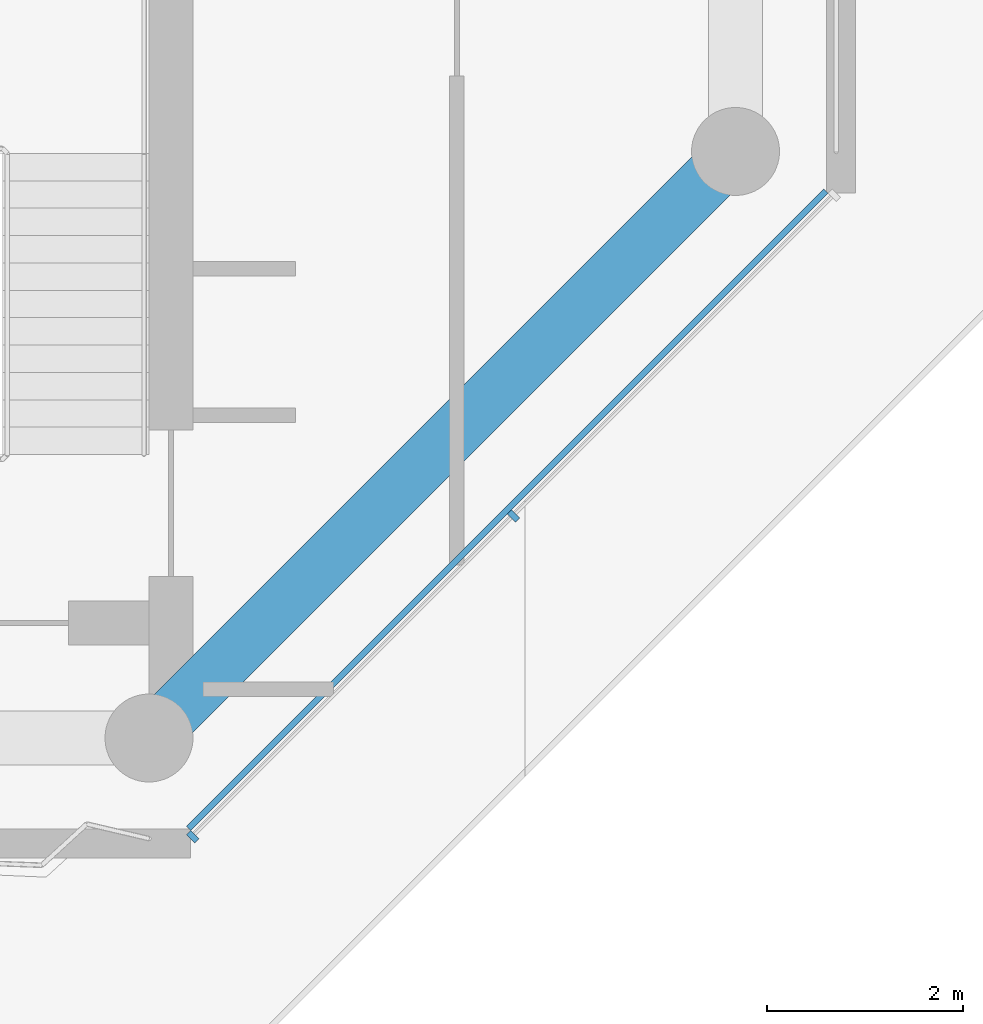
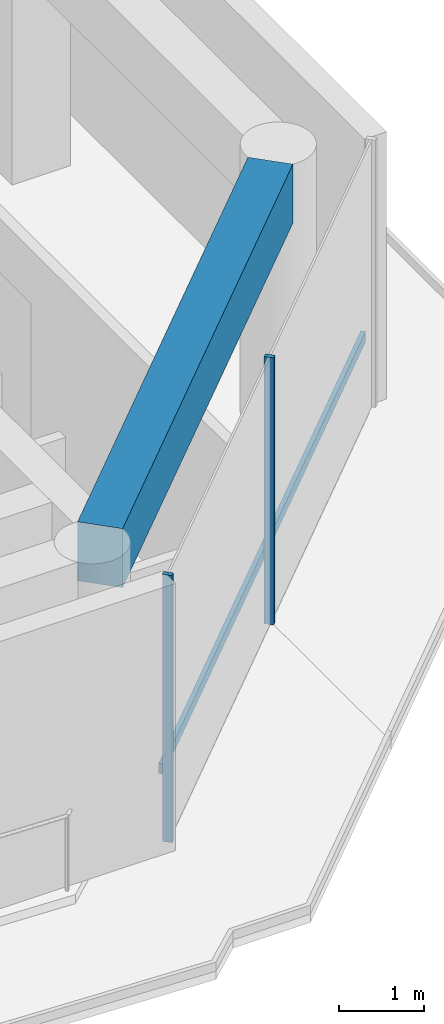
# One storey, part 3 of 20: 3 members, 1 beam, 1 element without a shape of its own.
"""IFC4 building model written with IfcOpenShell, lengths in metres."""

from ifc_helpers import new_model, si_unit, direction, frame, origin, origin_2d, place, context, subcontext, project, spatial, rectangle, extrude, material, layer, layer_set, material_profile, profile_set, type_object, element, aggregate, save


model = new_model("IFC4")

# Units and contexts
model_context = context("Model", 3, precision=1e-05, world=origin(), true_north=direction((0.0, 1.0)))
body_context = subcontext(model_context, "Body", "Model", "MODEL_VIEW")
ifc_project = project(units=[si_unit("LENGTHUNIT", "METRE"), si_unit("AREAUNIT", "SQUARE_METRE"), si_unit("VOLUMEUNIT", "CUBIC_METRE"), si_unit("PLANEANGLEUNIT", "RADIAN"), si_unit("MASSUNIT", "GRAM", prefix="KILO")], contexts=[model_context])

# Site, building, storey
site_placement = place(None, origin())
site = spatial("IfcSite", under=ifc_project, at=site_placement, CompositionType="ELEMENT")
building_placement = place(site_placement, origin())
building = spatial("IfcBuilding", under=site, at=building_placement, Name="Welwitschia Terrace Campus", CompositionType="ELEMENT")
storey_placement = place(building_placement, frame((0.0, 0.0, 239.0)))
storey = spatial("IfcBuildingStorey", under=building, at=storey_placement, Name="L53", CompositionType="ELEMENT", Elevation=239.0)

# Curtain wall, members
ifc_material_1 = material(Name="Bronze anodised aluminium", Category="aluminium")
ifc_layer = layer(ifc_material_1, 0.1201171875)
ifc_layer_set = layer_set([ifc_layer], Name="Bronze anodised aluminium")
curtain_wall_type = type_object("IfcCurtainWallType", Name="Curtain wall CW2 tower 6000", PredefinedType="NOTDEFINED", material=ifc_layer_set)
curtain_wall_placement = place(storey_placement, origin())
curtain_wall = element("IfcCurtainWall", 1, at=curtain_wall_placement, inside=storey, type_object=curtain_wall_type, Name="CW L53.3.0", PredefinedType="NOTDEFINED")
ifc_material_2 = material(Name="Bronze anodised aluminium", Category="aluminium")
ifc_material_profile_1 = material_profile(ifc_material_2, rectangle(XDim=0.1201171875, YDim=0.06005859375, at=origin_2d()))
ifc_profile_set_1 = profile_set([ifc_material_profile_1], Name="Bronze anodised aluminium")
member_type_1 = type_object("IfcMemberType", Name="Mullion 60x120", PredefinedType="MULLION", material=ifc_profile_set_1)
member_1_placement = place(storey_placement, frame((24.44775390625, 2.9912109375, 0.0), z_axis=(0.0, 0.0, 1.0), x_axis=(-0.707106781187, 0.707106781187, 0.0)))
member_1 = element("IfcMember", 2, at=member_1_placement, type_object=member_type_1, Name="Mullion L53.3.0.0", PredefinedType="MULLION", context=body_context, shape_type="SweptSolid", body=[
    extrude(rectangle(XDim=0.1201171875, YDim=0.06005859375, at=origin_2d()), origin(), (0.0, 0.0, 1.0), 3.85009765625),
])
member_2_placement = place(storey_placement, frame((27.728271484375, 6.271728515625, 0.0), z_axis=(0.0, 0.0, 1.0), x_axis=(-0.707106781187, 0.707106781187, 0.0)))
member_2 = element("IfcMember", 3, at=member_2_placement, type_object=member_type_1, Name="Mullion L53.3.0.1", PredefinedType="MULLION", context=body_context, shape_type="SweptSolid", body=[
    extrude(rectangle(XDim=0.1201171875, YDim=0.06005859375, at=origin_2d()), origin(), (0.0, 0.0, 1.0), 3.85009765625),
])

# Beam
ifc_material_3 = material(Name="Concrete C50/60", Category="concrete")
ifc_material_profile_2 = material_profile(ifc_material_3, rectangle(XDim=0.550048828125, YDim=0.85009765625, at=origin_2d()))
ifc_profile_set_2 = profile_set([ifc_material_profile_2], Name="Concrete C50/60")
beam_type = type_object("IfcBeamType", Name="Ring spandrel 550x850", PredefinedType="SPANDREL", material=ifc_profile_set_2)
beam_placement = place(storey_placement, frame((24.25244140625, 4.25244140625, 3.425048828125), z_axis=(0.707106781187, 0.707106781187, 0.0), x_axis=(-0.707106781187, 0.707106781187, 0.0)))
element("IfcBeam", 4, at=beam_placement, inside=storey, type_object=beam_type, Name="Spandrel SP3", PredefinedType="SPANDREL", context=body_context, shape_type="SweptSolid", body=[
    extrude(rectangle(XDim=0.550048828125, YDim=0.85009765625, at=origin_2d()), origin(), (0.0, 0.0, 1.0), 7.771240234375),
])

# Member
ifc_material_4 = material(Name="Bronze anodised aluminium", Category="aluminium")
ifc_material_profile_3 = material_profile(ifc_material_4, rectangle(XDim=0.06005859375, YDim=0.14990234375, at=origin_2d()))
ifc_profile_set_3 = profile_set([ifc_material_profile_3], Name="Bronze anodised aluminium")
member_type_2 = type_object("IfcMemberType", Name="Transom 60x150", PredefinedType="USERDEFINED", material=ifc_profile_set_3)
member_3_placement = place(storey_placement, frame((24.405517578125, 3.076171875, 1.0), z_axis=(0.707106781187, 0.707106781187, 0.0), x_axis=(-0.707106781187, 0.707106781187, 0.0)))
member_3 = element("IfcMember", 5, at=member_3_placement, type_object=member_type_2, Name="Transom L53.3.0", ObjectType="TRANSOM", PredefinedType="USERDEFINED", context=body_context, shape_type="SweptSolid", body=[
    extrude(rectangle(XDim=0.06005859375, YDim=0.14990234375, at=origin_2d()), origin(), (0.0, 0.0, 1.0), 9.21826171875),
])

aggregate(curtain_wall, [member_1, member_2, member_3])

save(model, "model.ifc")
